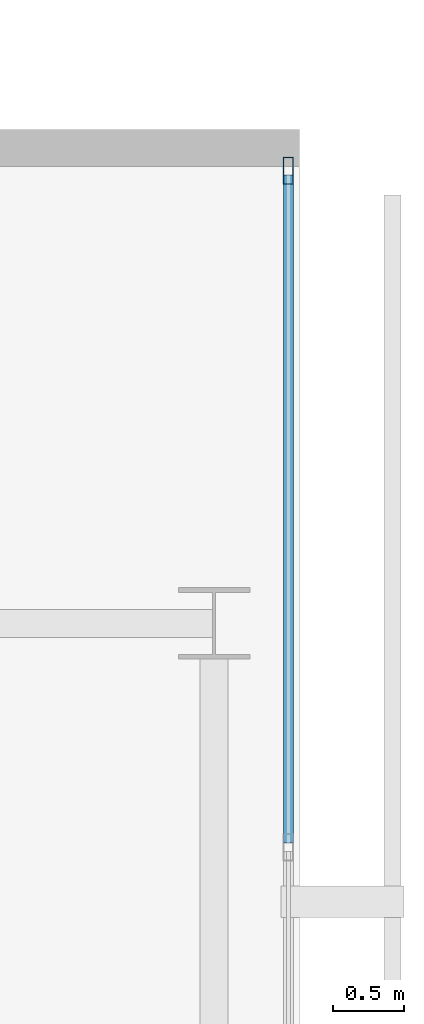
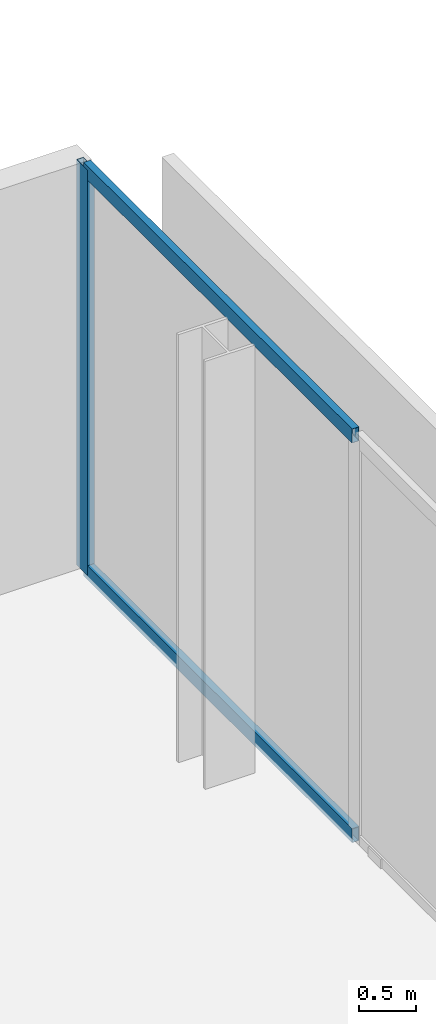
# One storey, part 15 of 23: 3 members, 1 element without a shape of its own.
"""IFC4 building model written with IfcOpenShell, lengths in metres."""

import ifcopenshell
import ifcopenshell.guid

model = None  # the IFC model being written
_history = None  # IfcOwnerHistory: only IFC2X3 demands one
_inside = {}  # id of a spatial element -> (the spatial element, [elements in it])
_under = {}  # id of a project, library or spatial element -> (it, [spatial elements below it])
_declared = {}  # id of a project -> (the project, [libraries it declares])
_typed = {}  # id of a type object -> (the type object, [elements of that type])
_made_of = {}  # id of a material, layer set ... -> (it, [elements and type objects made of it])


def new_model(schema):
    """Start an empty IFC model of exactly this schema.

    Asked for "IFC4X3", IfcOpenShell would pick the latest addendum, in which some entities
    have other attributes; the version numbers below select the first issue.
    IFC2X3 requires an IfcOwnerHistory on every rooted entity: one is made here for all.
    """
    global model, _history
    if schema == "IFC4X3":
        model = ifcopenshell.file(schema_version=(4, 3, 0, 0))
    else:
        model = ifcopenshell.file(schema=schema)
    _inside.clear()
    _under.clear()
    _declared.clear()
    _typed.clear()
    _made_of.clear()
    _history = None
    if model.schema == "IFC2X3":
        org = make("IfcOrganization", Name="unknown")
        user = make(
            "IfcPersonAndOrganization",
            ThePerson=make("IfcPerson", FamilyName="unknown"),
            TheOrganization=org,
        )
        app = make(
            "IfcApplication",
            ApplicationDeveloper=org,
            Version="unknown",
            ApplicationFullName="unknown",
            ApplicationIdentifier="unknown",
        )
        _history = make(
            "IfcOwnerHistory",
            OwningUser=user,
            OwningApplication=app,
            ChangeAction="ADDED",
            CreationDate=0,
        )
    return model


def make(cls, **values):
    """One entity of the class cls with the attributes given. An attribute that is None is left unset."""
    return model.create_entity(
        cls, **{name: value for name, value in values.items() if value is not None}
    )


def rooted(cls, **values):
    """An entity with a GlobalId (a new one), such as an element, a storey or a relation."""
    return make(cls, GlobalId=ifcopenshell.guid.new(), OwnerHistory=_history, **values)


def si_unit(unit_type, name, prefix=None):
    """IfcSIUnit, for example si_unit("LENGTHUNIT", "METRE", prefix="MILLI")."""
    return make("IfcSIUnit", UnitType=unit_type, Prefix=prefix, Name=name)


def assignment(units):
    """IfcUnitAssignment: the units of a project."""
    return None if units is None else make("IfcUnitAssignment", Units=units)


def point(xyz):
    """IfcCartesianPoint."""
    return None if xyz is None else make("IfcCartesianPoint", Coordinates=xyz)


def direction(xyz):
    """IfcDirection."""
    return None if xyz is None else make("IfcDirection", DirectionRatios=xyz)


def frame(location, z_axis=None, x_axis=None):
    """IfcAxis2Placement3D, a coordinate frame: its origin and axes. An axis left out is left unset."""
    return make(
        "IfcAxis2Placement3D",
        Location=point(location),
        Axis=direction(z_axis),
        RefDirection=direction(x_axis),
    )


def frame_2d(location, x_axis=None):
    """IfcAxis2Placement2D, a coordinate frame in the plane: its origin and x axis."""
    return make(
        "IfcAxis2Placement2D", Location=point(location), RefDirection=direction(x_axis)
    )


def origin():
    """The frame at (0, 0, 0) with its axes left unset."""
    return frame((0.0, 0.0, 0.0))


def origin_2d():
    """The frame at (0, 0) in the plane with its x axis left unset."""
    return frame_2d((0.0, 0.0))


def place(relative_to, where):
    """IfcLocalPlacement: puts the frame where relative to a parent placement (None: the world)."""
    return make(
        "IfcLocalPlacement", PlacementRelTo=relative_to, RelativePlacement=where
    )


def context(
    kind, dimensions, precision=None, world=None, true_north=None, identifier=None
):
    """IfcGeometricRepresentationContext, for example the 3D "Model" context."""
    return make(
        "IfcGeometricRepresentationContext",
        ContextIdentifier=identifier,
        ContextType=kind,
        CoordinateSpaceDimension=dimensions,
        Precision=precision,
        WorldCoordinateSystem=world,
        TrueNorth=true_north,
    )


def subcontext(parent, identifier, kind, view, scale=None):
    """IfcGeometricRepresentationSubContext, for example "Body" below "Model"."""
    return make(
        "IfcGeometricRepresentationSubContext",
        ContextIdentifier=identifier,
        ContextType=kind,
        ParentContext=parent,
        TargetScale=scale,
        TargetView=view,
    )


def project(units=None, contexts=None):
    """IfcProject with its units and contexts."""
    return rooted(
        "IfcProject",
        Name="project",
        RepresentationContexts=contexts,
        UnitsInContext=assignment(units),
    )


def spatial(cls, under=None, at=None, **own):
    """A site, building, storey or space (cls), placed at a placement, below another one or the project."""
    s = rooted(cls, ObjectPlacement=at, **own)
    if under is not None:
        _under.setdefault(under.id(), (under, []))[1].append(s)
    return s


def profile(cls, at=None, kind="AREA", **sizes):
    """A parametric profile (cls). Its sizes go by their IFC names, for example OverallWidth=200.0."""
    return make(cls, ProfileType=kind, Position=at, **sizes)


def hollow_rectangle(**sizes):
    """IfcRectangleHollowProfileDef."""
    return profile("IfcRectangleHollowProfileDef", **sizes)


def extrude(swept, where, along, depth):
    """IfcExtrudedAreaSolid: the profile swept, set in the frame where, extruded along a direction by depth."""
    return make(
        "IfcExtrudedAreaSolid",
        SweptArea=swept,
        Position=where,
        ExtrudedDirection=direction(along),
        Depth=depth,
    )


def shape(context_of_items, identifier, shape_type, items):
    """IfcShapeRepresentation: the items that make up one representation, for example the "Body"."""
    return make(
        "IfcShapeRepresentation",
        ContextOfItems=context_of_items,
        RepresentationIdentifier=identifier,
        RepresentationType=shape_type,
        Items=items,
    )


def material(Name=None, Category=None):
    """IfcMaterial."""
    return make("IfcMaterial", Name=Name, Category=Category)


def layer(
    of_material, thickness, ventilated=None, Name=None, Category=None, Priority=None
):
    """IfcMaterialLayer: one layer of a wall or slab, of a material (None: an air gap)."""
    return make(
        "IfcMaterialLayer",
        Material=of_material,
        LayerThickness=thickness,
        IsVentilated=ventilated,
        Name=Name,
        Category=Category,
        Priority=Priority,
    )


def layer_set(layers, Name=None):
    """IfcMaterialLayerSet."""
    return make("IfcMaterialLayerSet", MaterialLayers=layers, LayerSetName=Name)


def material_profile(
    of_material, cross_section, Name=None, Category=None, Priority=None
):
    """IfcMaterialProfile: a cross section and its material."""
    return make(
        "IfcMaterialProfile",
        Name=Name,
        Material=of_material,
        Profile=cross_section,
        Priority=Priority,
        Category=Category,
    )


def profile_set(profiles, Name=None, composite=None):
    """IfcMaterialProfileSet."""
    return make(
        "IfcMaterialProfileSet",
        Name=Name,
        MaterialProfiles=profiles,
        CompositeProfile=composite,
    )


def made_of(thing, what):
    """Note that an element or type object is made of a material, layer set ...; save() writes the relation."""
    if what is not None:
        _made_of.setdefault(what.id(), (what, []))[1].append(thing)
    return thing


def type_object(cls, material=None, **own):
    """A type object (cls), such as IfcWallType, which elements share."""
    return made_of(rooted(cls, **own), material)


def element(
    cls,
    number,
    at=None,
    inside=None,
    cuts=None,
    type_object=None,
    material=None,
    context=None,
    identifier="Body",
    shape_type=None,
    held_by="IfcProductDefinitionShape",
    body=None,
    shapes=None,
    **own,
):
    """One element of the class cls, such as IfcWall. Its Tag is "e" and its number.

    at: its placement. inside: the storey or other place that contains it. cuts: it is an
    opening in that element (IfcRelVoidsElement). A single representation is given by context,
    identifier, shape_type and body (its items); several are given by shapes. held_by: the class
    of the entity that holds the representations. save() writes the other relations.
    """
    e = rooted(cls, Tag="e%d" % number, ObjectPlacement=at, **own)
    if body is not None:
        shapes = [shape(context, identifier, shape_type, body)]
    if shapes is not None:
        e.Representation = make(held_by, Representations=shapes)
    if inside is not None:
        _inside.setdefault(inside.id(), (inside, []))[1].append(e)
    if cuts is not None:
        rooted(
            "IfcRelVoidsElement", RelatingBuildingElement=cuts, RelatedOpeningElement=e
        )
    if type_object is not None:
        _typed.setdefault(type_object.id(), (type_object, []))[1].append(e)
    return made_of(e, material)


def aggregate(whole, parts):
    """IfcRelAggregates: a whole, such as a stair, and the parts it consists of."""
    return rooted("IfcRelAggregates", RelatingObject=whole, RelatedObjects=parts)


def save(model, path):
    """Write the relations noted so far, then the file.

    IfcRelAggregates (storeys below a building ...), IfcRelContainedInSpatialStructure (elements
    in a storey), IfcRelDefinesByType, IfcRelAssociatesMaterial and IfcRelDeclares: one each for
    every whole, place, type object, material and project.
    """
    for whole, parts in _under.values():
        aggregate(whole, parts)
    for where, things in _inside.values():
        rooted(
            "IfcRelContainedInSpatialStructure",
            RelatedElements=things,
            RelatingStructure=where,
        )
    for kind, things in _typed.values():
        rooted("IfcRelDefinesByType", RelatedObjects=things, RelatingType=kind)
    for what, things in _made_of.values():
        rooted("IfcRelAssociatesMaterial", RelatedObjects=things, RelatingMaterial=what)
    for by, libraries in _declared.values():
        rooted("IfcRelDeclares", RelatingContext=by, RelatedDefinitions=libraries)
    model.write(path)


model = new_model("IFC4")

# Units and contexts
model_context = context("Model", 3, precision=1e-05, world=origin(), true_north=direction((0.0, 1.0)))
body_context = subcontext(model_context, "Body", "Model", "MODEL_VIEW")
ifc_project = project(units=[si_unit("LENGTHUNIT", "METRE"), si_unit("AREAUNIT", "SQUARE_METRE"), si_unit("VOLUMEUNIT", "CUBIC_METRE"), si_unit("PLANEANGLEUNIT", "RADIAN"), si_unit("MASSUNIT", "GRAM", prefix="KILO")], contexts=[model_context])

# Site, building, storey
site_placement = place(None, origin())
site = spatial("IfcSite", under=ifc_project, at=site_placement, CompositionType="ELEMENT")
building_placement = place(site_placement, origin())
building = spatial("IfcBuilding", under=site, at=building_placement, Name="Maruvema Waterfront Hotel and Observation Tower", CompositionType="ELEMENT")
storey_placement = place(building_placement, frame((0.0, 0.0, 345.10009765625)))
storey = spatial("IfcBuildingStorey", under=building, at=storey_placement, Name="L85", CompositionType="ELEMENT", Elevation=345.10009765625)

# Curtain wall, members
ifc_material_1 = material(Name="Anodised bronze aluminium and solar-control low-E IGU", Category="aluminium")
ifc_layer = layer(ifc_material_1, 0.159912109375, Name="Observation Crown Structural Glazed Curtain Wall System CW-06")
ifc_layer_set = layer_set([ifc_layer], Name="Anodised bronze aluminium and solar-control low-E IGU")
curtain_wall_type = type_object("IfcCurtainWallType", Name="Observation Crown Structural Glazed Curtain Wall System CW-06", PredefinedType="USERDEFINED", material=ifc_layer_set)
curtain_wall_placement = place(storey_placement, origin())
curtain_wall = element("IfcCurtainWall", 1, at=curtain_wall_placement, inside=storey, type_object=curtain_wall_type, Name="L85 Curtain Wall CW-L85-E", ObjectType="UNITISED CURTAIN WALL", PredefinedType="USERDEFINED")
ifc_material_2 = material(Name="Anodised architectural bronze aluminium", Category="aluminium")
ifc_material_profile_1 = material_profile(ifc_material_2, hollow_rectangle(XDim=0.070068359375, YDim=0.14990234375, WallThickness=0.00390625, at=origin_2d()), Name="ALU-T70x150")
ifc_profile_set_1 = profile_set([ifc_material_profile_1], Name="Anodised architectural bronze aluminium")
member_type_1 = type_object("IfcMemberType", Name="Curtain Wall Horizontal Transom ALU-T70x150", PredefinedType="USERDEFINED", material=ifc_profile_set_1)
member_1_placement = place(storey_placement, frame((57.820068359375, 43.46337890625, 0.02978515625), z_axis=(0.0, 1.0, 0.0), x_axis=(-1.0, 0.0, 0.0)))
member_1 = element("IfcMember", 2, at=member_1_placement, type_object=member_type_1, Name="CW-06 transom 6.1", ObjectType="TRANSOM", PredefinedType="USERDEFINED", context=body_context, shape_type="SweptSolid", body=[
    extrude(hollow_rectangle(XDim=0.070068359375, YDim=0.14990234375, WallThickness=0.00390625, at=origin_2d()), origin(), (0.0, 0.0, 1.0), 4.676513671875),
])
member_2_placement = place(storey_placement, frame((57.820068359375, 43.46337890625, 4.27978515625), z_axis=(0.0, 1.0, 0.0), x_axis=(-1.0, 0.0, 0.0)))
member_2 = element("IfcMember", 3, at=member_2_placement, type_object=member_type_1, Name="CW-06 transom 6.2", ObjectType="TRANSOM", PredefinedType="USERDEFINED", context=body_context, shape_type="SweptSolid", body=[
    extrude(hollow_rectangle(XDim=0.070068359375, YDim=0.14990234375, WallThickness=0.00390625, at=origin_2d()), origin(), (0.0, 0.0, 1.0), 4.676513671875),
])
ifc_material_3 = material(Name="Anodised architectural bronze aluminium", Category="aluminium")
ifc_material_profile_2 = material_profile(ifc_material_3, hollow_rectangle(XDim=0.070068359375, YDim=0.18994140625, WallThickness=0.00390625, at=origin_2d()), Name="ALU-M70x190")
ifc_profile_set_2 = profile_set([ifc_material_profile_2], Name="Anodised architectural bronze aluminium")
member_type_2 = type_object("IfcMemberType", Name="Podium Storefront Heavy Mullion ALU-M70x190", PredefinedType="MULLION", material=ifc_profile_set_2)
member_3_placement = place(storey_placement, frame((57.820068359375, 48.169921875, 0.0), z_axis=(0.0, 0.0, 1.0), x_axis=(-1.0, 0.0, 0.0)))
member_3 = element("IfcMember", 4, at=member_3_placement, type_object=member_type_2, Name="CW-06 mullion 7", PredefinedType="MULLION", context=body_context, shape_type="SweptSolid", body=[
    extrude(hollow_rectangle(XDim=0.070068359375, YDim=0.18994140625, WallThickness=0.00390625, at=origin_2d()), origin(), (0.0, 0.0, 1.0), 4.309814453125),
])
aggregate(curtain_wall, [member_3, member_1, member_2])

save(model, "model.ifc")
